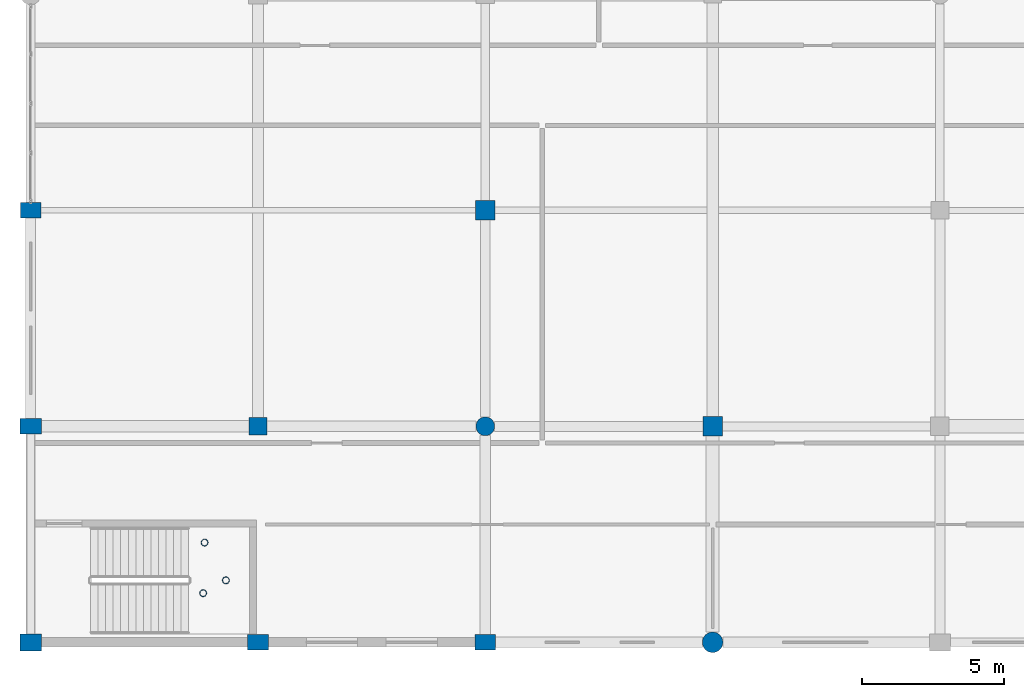
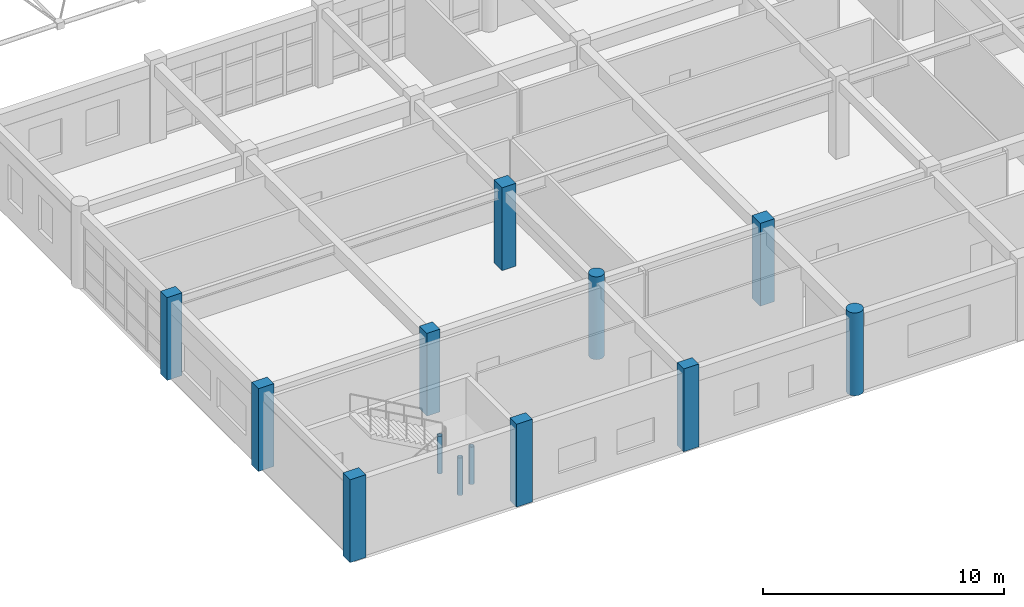
# One storey, part 1 of 195: 13 columns.
"""IFC4 building model written with IfcOpenShell, lengths in metres."""

from ifc_helpers import new_model, si_unit, direction, frame, origin, origin_with_axes, origin_2d, place, context, subcontext, project, spatial, rectangle, circle, hollow_circle, extrude, material, material_profile, profile_set, type_object, element, save


model = new_model("IFC4")

# Units and contexts
model_context = context("Model", 3, precision=1e-05, world=origin(), true_north=direction((0.0, 1.0)))
body_context = subcontext(model_context, "Body", "Model", "MODEL_VIEW")
ifc_project = project(units=[si_unit("LENGTHUNIT", "METRE"), si_unit("AREAUNIT", "SQUARE_METRE"), si_unit("VOLUMEUNIT", "CUBIC_METRE"), si_unit("PLANEANGLEUNIT", "RADIAN"), si_unit("MASSUNIT", "GRAM", prefix="KILO")], contexts=[model_context])

# Site, building, storey
site_placement = place(None, origin())
site = spatial("IfcSite", under=ifc_project, at=site_placement, CompositionType="ELEMENT")
building_placement = place(site_placement, origin())
building = spatial("IfcBuilding", under=site, at=building_placement, Name="Kharva Crest Polytechnic", CompositionType="ELEMENT")
storey_placement = place(building_placement, frame((0.0, 0.0, 9.0)))
storey = spatial("IfcBuildingStorey", under=building, at=storey_placement, Name="L02", CompositionType="ELEMENT", Elevation=9.0)

# Columns
ifc_material_1 = material(Name="Concrete C40/50", Category="concrete")
ifc_material_profile_1 = material_profile(ifc_material_1, rectangle(XDim=0.719970703125, YDim=0.550048828125, at=origin_2d()), Name="RECT 720 X 550")
ifc_profile_set_1 = profile_set([ifc_material_profile_1], Name="Concrete C40/50")
column_type_1 = type_object("IfcColumnType", Name="COL-EXT-720X550", PredefinedType="COLUMN", material=ifc_profile_set_1)
for number, where, z_axis, x_axis, name in (
    (1, (0.0, 15.199951171875, 0.0), (0.0, 0.0, 1.0), (1.0, 0.0, 0.0), "L02 Column 1/C"),
    (2, (16.0, 0.0, 0.0), (0.0, 0.0, 1.0), (1.0, 0.0, 0.0), "L02 Column 3/A"),
):
    element("IfcColumn", number, at=place(storey_placement, frame(where, z_axis=z_axis, x_axis=x_axis)), inside=storey, type_object=column_type_1, Name=name, PredefinedType="COLUMN", context=body_context, shape_type="SweptSolid", body=[
        extrude(rectangle(XDim=0.719970703125, YDim=0.550048828125, at=origin_2d()), origin(), (0.0, 0.0, 1.0), 4.199951171875),
    ])
ifc_material_profile_2 = material_profile(ifc_material_1, rectangle(XDim=0.75, YDim=0.550048828125, at=origin_2d()), Name="RECT 750 X 550")
ifc_profile_set_2 = profile_set([ifc_material_profile_2], Name="Concrete C40/50")
column_type_2 = type_object("IfcColumnType", Name="COL-EXT-750X550", PredefinedType="COLUMN", material=ifc_profile_set_2)
for number, where, z_axis, x_axis, name in (
    (3, (0.0, 7.60009765625, 0.0), (0.0, 0.0, 1.0), (1.0, 0.0, 0.0), "L02 Column 1/B"),
    (4, (8.0, 0.0, 0.0), (0.0, 0.0, 1.0), (1.0, 0.0, 0.0), "L02 Column 2/A"),
):
    element("IfcColumn", number, at=place(storey_placement, frame(where, z_axis=z_axis, x_axis=x_axis)), inside=storey, type_object=column_type_2, Name=name, PredefinedType="COLUMN", context=body_context, shape_type="SweptSolid", body=[
        extrude(rectangle(XDim=0.75, YDim=0.550048828125, at=origin_2d()), origin(), (0.0, 0.0, 1.0), 4.199951171875),
    ])
ifc_material_profile_3 = material_profile(ifc_material_1, rectangle(XDim=0.75, YDim=0.60009765625, at=origin_2d()), Name="RECT 750 X 600")
ifc_profile_set_3 = profile_set([ifc_material_profile_3], Name="Concrete C40/50")
column_type_3 = type_object("IfcColumnType", Name="COL-EXT-750X600", PredefinedType="COLUMN", material=ifc_profile_set_3)
column_1_placement = place(storey_placement, origin_with_axes())
element("IfcColumn", 5, at=column_1_placement, inside=storey, type_object=column_type_3, Name="L02 Column 1/A", PredefinedType="COLUMN", context=body_context, shape_type="SweptSolid", body=[
    extrude(rectangle(XDim=0.75, YDim=0.60009765625, at=origin_2d()), origin(), (0.0, 0.0, 1.0), 4.199951171875),
])
ifc_material_profile_4 = material_profile(ifc_material_1, circle(Radius=0.360107421875, at=origin_2d()), Name="DIA 720")
ifc_profile_set_4 = profile_set([ifc_material_profile_4], Name="Concrete C40/50")
column_type_4 = type_object("IfcColumnType", Name="COL-EXT-DIA720", PredefinedType="COLUMN", material=ifc_profile_set_4)
column_2_placement = place(storey_placement, frame((24.0, 0.0, 0.0), z_axis=(0.0, 0.0, 1.0), x_axis=(1.0, 0.0, 0.0)))
element("IfcColumn", 6, at=column_2_placement, inside=storey, type_object=column_type_4, Name="L02 Column 4/A", PredefinedType="COLUMN", context=body_context, shape_type="SweptSolid", body=[
    extrude(circle(Radius=0.360107421875, at=origin_2d()), origin(), (0.0, 0.0, 1.0), 4.199951171875),
])
ifc_material_profile_5 = material_profile(ifc_material_1, rectangle(XDim=0.6201171875, YDim=0.6201171875, at=origin_2d()), Name="RECT 620 X 620")
ifc_profile_set_5 = profile_set([ifc_material_profile_5], Name="Concrete C40/50")
column_type_5 = type_object("IfcColumnType", Name="COL-INT-620X620", PredefinedType="COLUMN", material=ifc_profile_set_5)
column_3_placement = place(storey_placement, frame((8.0, 7.60009765625, 0.0), z_axis=(0.0, 0.0, 1.0), x_axis=(1.0, 0.0, 0.0)))
element("IfcColumn", 7, at=column_3_placement, inside=storey, type_object=column_type_5, Name="L02 Column 2/B", PredefinedType="COLUMN", context=body_context, shape_type="SweptSolid", body=[
    extrude(rectangle(XDim=0.6201171875, YDim=0.6201171875, at=origin_2d()), origin(), (0.0, 0.0, 1.0), 4.199951171875),
])
ifc_material_profile_6 = material_profile(ifc_material_1, rectangle(XDim=0.679931640625, YDim=0.679931640625, at=origin_2d()), Name="RECT 680 X 680")
ifc_profile_set_6 = profile_set([ifc_material_profile_6], Name="Concrete C40/50")
column_type_6 = type_object("IfcColumnType", Name="COL-INT-680X680", PredefinedType="COLUMN", material=ifc_profile_set_6)
for number, where, z_axis, x_axis, name in (
    (8, (16.0, 15.199951171875, 0.0), (0.0, 0.0, 1.0), (1.0, 0.0, 0.0), "L02 Column 3/C"),
    (9, (24.0, 7.60009765625, 0.0), (0.0, 0.0, 1.0), (1.0, 0.0, 0.0), "L02 Column 4/B"),
):
    element("IfcColumn", number, at=place(storey_placement, frame(where, z_axis=z_axis, x_axis=x_axis)), inside=storey, type_object=column_type_6, Name=name, PredefinedType="COLUMN", context=body_context, shape_type="SweptSolid", body=[
        extrude(rectangle(XDim=0.679931640625, YDim=0.679931640625, at=origin_2d()), origin(), (0.0, 0.0, 1.0), 4.199951171875),
    ])
ifc_material_profile_7 = material_profile(ifc_material_1, circle(Radius=0.330078125, at=origin_2d()), Name="DIA 660")
ifc_profile_set_7 = profile_set([ifc_material_profile_7], Name="Concrete C40/50")
column_type_7 = type_object("IfcColumnType", Name="COL-INT-DIA660", PredefinedType="COLUMN", material=ifc_profile_set_7)
column_4_placement = place(storey_placement, frame((16.0, 7.60009765625, 0.0), z_axis=(0.0, 0.0, 1.0), x_axis=(1.0, 0.0, 0.0)))
element("IfcColumn", 10, at=column_4_placement, inside=storey, type_object=column_type_7, Name="L02 Column 3/B", PredefinedType="COLUMN", context=body_context, shape_type="SweptSolid", body=[
    extrude(circle(Radius=0.330078125, at=origin_2d()), origin(), (0.0, 0.0, 1.0), 4.199951171875),
])
ifc_material_2 = material(Name="Steel S355", Category="steel")
ifc_material_profile_8 = material_profile(ifc_material_2, hollow_circle(Radius=0.122314453125, WallThickness=0.010009765625, at=origin_2d()), Name="CHS 244.5X10.0")
ifc_profile_set_8 = profile_set([ifc_material_profile_8], Name="Steel S355")
column_type_8 = type_object("IfcColumnType", Name="COL-STL-CHS244", PredefinedType="COLUMN", material=ifc_profile_set_8)
for number, where, z_axis, x_axis, name in (
    (11, (6.070068359375, 1.72998046875, 0.0), (0.0, 0.0, 1.0), (1.0, 0.0, 0.0), "L02 Stair ST-10 Landing Support Column SW"),
    (12, (6.1201171875, 3.510009765625, 0.0), (0.0, 0.0, 1.0), (1.0, 0.0, 0.0), "L02 Stair ST-10 Landing Support Column NW"),
    (13, (6.8701171875, 2.179931640625, 0.0), (0.0, 0.0, 1.0), (1.0, 0.0, 0.0), "L02 Stair ST-10 Landing Support Column EM"),
):
    element("IfcColumn", number, at=place(storey_placement, frame(where, z_axis=z_axis, x_axis=x_axis)), inside=storey, type_object=column_type_8, Name=name, PredefinedType="COLUMN", context=body_context, shape_type="SweptSolid", body=[
        extrude(hollow_circle(Radius=0.122314453125, WallThickness=0.010009765625, at=origin_2d()), origin(), (0.0, 0.0, 1.0), 1.89990234375),
    ])

save(model, "model.ifc")
